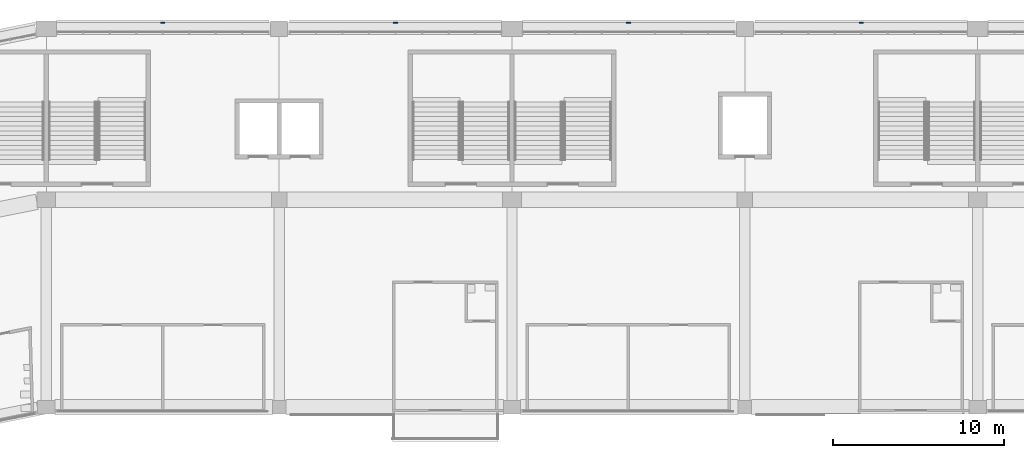
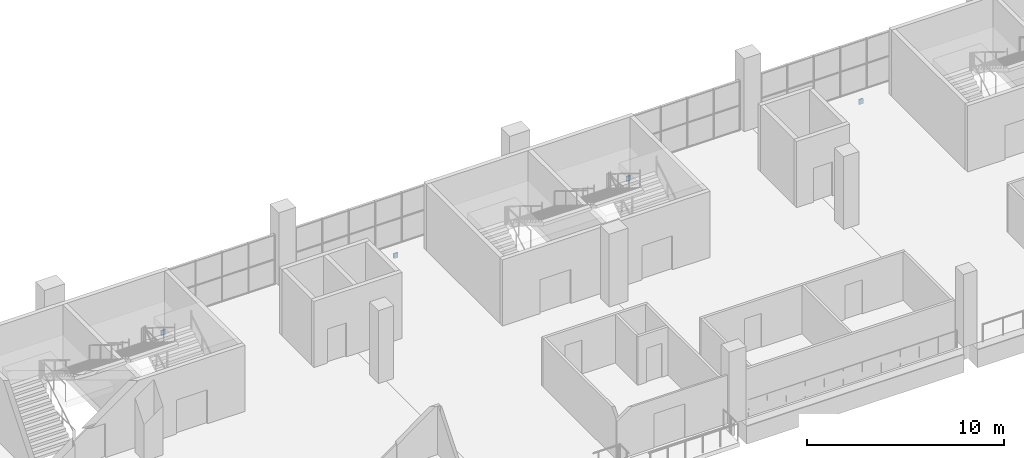
# One storey, part 98 of 199: 4 discrete accessories.
"""IFC4 building model written with IfcOpenShell, lengths in metres."""

from ifc_helpers import new_model, si_unit, direction, frame, origin, origin_2d, place, context, subcontext, project, spatial, rectangle, extrude, material, layer, layer_set, type_object, element, save


model = new_model("IFC4")

# Units and contexts
model_context = context("Model", 3, precision=1e-05, world=origin(), true_north=direction((0.0, 1.0)))
body_context = subcontext(model_context, "Body", "Model", "MODEL_VIEW")
ifc_project = project(units=[si_unit("LENGTHUNIT", "METRE"), si_unit("AREAUNIT", "SQUARE_METRE"), si_unit("VOLUMEUNIT", "CUBIC_METRE"), si_unit("PLANEANGLEUNIT", "RADIAN"), si_unit("MASSUNIT", "GRAM", prefix="KILO")], contexts=[model_context])

# Site, building, storey
site_placement = place(None, origin())
site = spatial("IfcSite", under=ifc_project, at=site_placement, CompositionType="ELEMENT")
building_placement = place(site_placement, origin())
building = spatial("IfcBuilding", under=site, at=building_placement, Name="Ogive Plaza Stadium", CompositionType="ELEMENT")
storey_placement = place(building_placement, frame((0.0, 0.0, 9.0)))
storey = spatial("IfcBuildingStorey", under=building, at=storey_placement, Name="L02", CompositionType="ELEMENT", Elevation=9.0)

# Discrete accessories
ifc_material = material(Name="Steel ASTM A572 Grade 50", Category="steel")
ifc_layer = layer(ifc_material, 0.080078125)
ifc_layer_set = layer_set([ifc_layer], Name="Steel ASTM A572 Grade 50")
discrete_accessory_type = type_object("IfcDiscreteAccessoryType", Name="Spandrel cladding bracket 250x300", PredefinedType="BRACKET", material=ifc_layer_set)
for number, where, z_axis, x_axis, name in (
    (1, (-27.199951171875, 102.85009765625, -1.31005859375), (0.0, 0.0, 1.0), (1.0, 0.0, 0.0), "SPANDREL BRACKET B32 L02"),
    (2, (-13.60009765625, 102.85009765625, -1.31005859375), (0.0, 0.0, 1.0), (1.0, 0.0, 0.0), "SPANDREL BRACKET B33 L02"),
    (3, (0.0, 102.85009765625, -1.31005859375), (0.0, 0.0, 1.0), (1.0, 0.0, 0.0), "SPANDREL BRACKET B34 L02"),
    (4, (13.60009765625, 102.85009765625, -1.31005859375), (0.0, 0.0, 1.0), (1.0, 0.0, 0.0), "SPANDREL BRACKET B35 L02"),
):
    element("IfcDiscreteAccessory", number, at=place(storey_placement, frame(where, z_axis=z_axis, x_axis=x_axis)), inside=storey, type_object=discrete_accessory_type, Name=name, PredefinedType="BRACKET", context=body_context, shape_type="SweptSolid", body=[
        extrude(rectangle(XDim=0.25, YDim=0.080078125, at=origin_2d()), origin(), (0.0, 0.0, 1.0), 0.300048828125),
    ])

save(model, "model.ifc")
